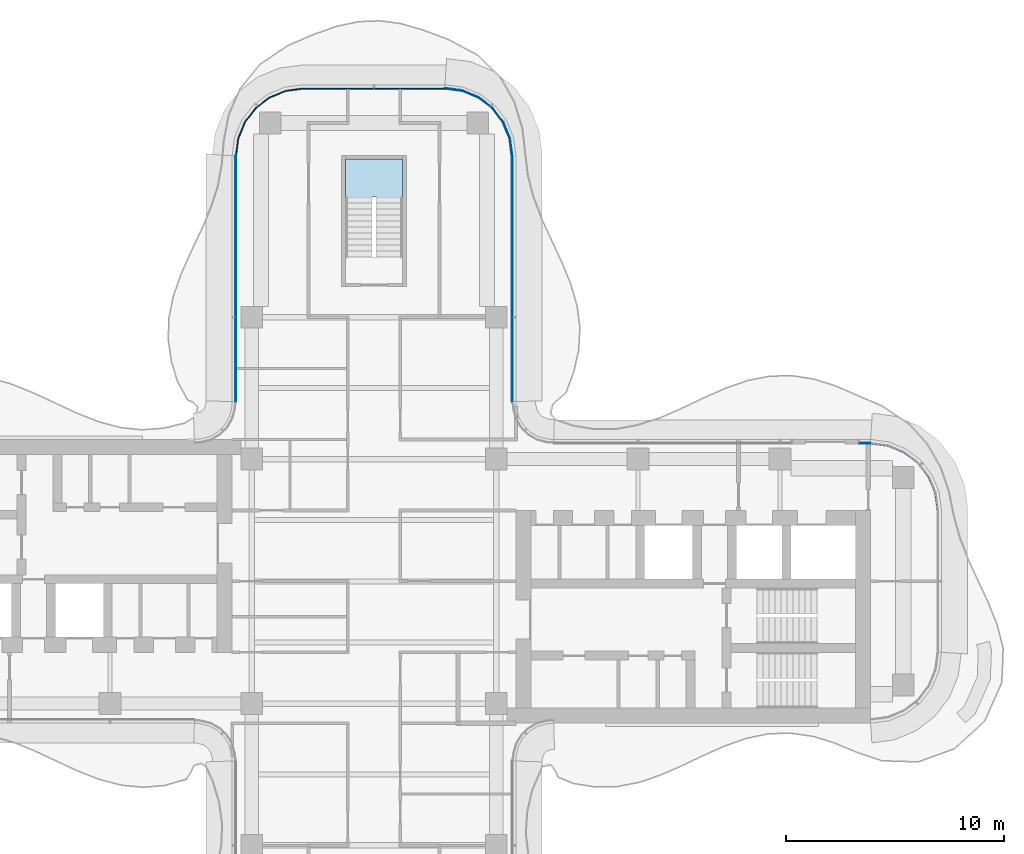
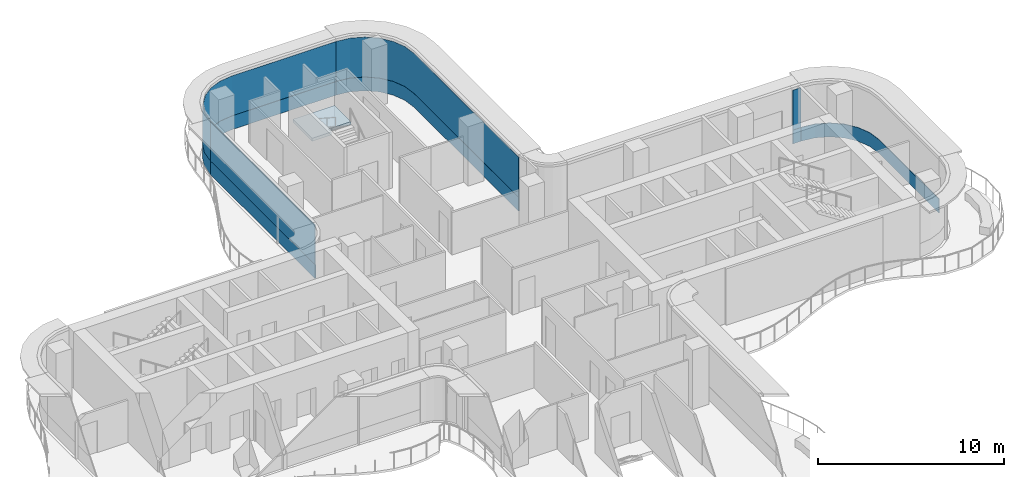
# One storey, part 10 of 17: 9 plates, 1 slab, 6 elements without a shape of their own.
"""IFC4 building model written with IfcOpenShell, lengths in metres."""

import ifcopenshell
import ifcopenshell.guid

model = None  # the IFC model being written
_history = None  # IfcOwnerHistory: only IFC2X3 demands one
_inside = {}  # id of a spatial element -> (the spatial element, [elements in it])
_under = {}  # id of a project, library or spatial element -> (it, [spatial elements below it])
_declared = {}  # id of a project -> (the project, [libraries it declares])
_typed = {}  # id of a type object -> (the type object, [elements of that type])
_made_of = {}  # id of a material, layer set ... -> (it, [elements and type objects made of it])


def new_model(schema):
    """Start an empty IFC model of exactly this schema.

    Asked for "IFC4X3", IfcOpenShell would pick the latest addendum, in which some entities
    have other attributes; the version numbers below select the first issue.
    IFC2X3 requires an IfcOwnerHistory on every rooted entity: one is made here for all.
    """
    global model, _history
    if schema == "IFC4X3":
        model = ifcopenshell.file(schema_version=(4, 3, 0, 0))
    else:
        model = ifcopenshell.file(schema=schema)
    _inside.clear()
    _under.clear()
    _declared.clear()
    _typed.clear()
    _made_of.clear()
    _history = None
    if model.schema == "IFC2X3":
        org = make("IfcOrganization", Name="unknown")
        user = make(
            "IfcPersonAndOrganization",
            ThePerson=make("IfcPerson", FamilyName="unknown"),
            TheOrganization=org,
        )
        app = make(
            "IfcApplication",
            ApplicationDeveloper=org,
            Version="unknown",
            ApplicationFullName="unknown",
            ApplicationIdentifier="unknown",
        )
        _history = make(
            "IfcOwnerHistory",
            OwningUser=user,
            OwningApplication=app,
            ChangeAction="ADDED",
            CreationDate=0,
        )
    return model


def make(cls, **values):
    """One entity of the class cls with the attributes given. An attribute that is None is left unset."""
    return model.create_entity(
        cls, **{name: value for name, value in values.items() if value is not None}
    )


def rooted(cls, **values):
    """An entity with a GlobalId (a new one), such as an element, a storey or a relation."""
    return make(cls, GlobalId=ifcopenshell.guid.new(), OwnerHistory=_history, **values)


def si_unit(unit_type, name, prefix=None):
    """IfcSIUnit, for example si_unit("LENGTHUNIT", "METRE", prefix="MILLI")."""
    return make("IfcSIUnit", UnitType=unit_type, Prefix=prefix, Name=name)


def assignment(units):
    """IfcUnitAssignment: the units of a project."""
    return None if units is None else make("IfcUnitAssignment", Units=units)


def point(xyz):
    """IfcCartesianPoint."""
    return None if xyz is None else make("IfcCartesianPoint", Coordinates=xyz)


def direction(xyz):
    """IfcDirection."""
    return None if xyz is None else make("IfcDirection", DirectionRatios=xyz)


def frame(location, z_axis=None, x_axis=None):
    """IfcAxis2Placement3D, a coordinate frame: its origin and axes. An axis left out is left unset."""
    return make(
        "IfcAxis2Placement3D",
        Location=point(location),
        Axis=direction(z_axis),
        RefDirection=direction(x_axis),
    )


def origin():
    """The frame at (0, 0, 0) with its axes left unset."""
    return frame((0.0, 0.0, 0.0))


def place(relative_to, where):
    """IfcLocalPlacement: puts the frame where relative to a parent placement (None: the world)."""
    return make(
        "IfcLocalPlacement", PlacementRelTo=relative_to, RelativePlacement=where
    )


def context(
    kind, dimensions, precision=None, world=None, true_north=None, identifier=None
):
    """IfcGeometricRepresentationContext, for example the 3D "Model" context."""
    return make(
        "IfcGeometricRepresentationContext",
        ContextIdentifier=identifier,
        ContextType=kind,
        CoordinateSpaceDimension=dimensions,
        Precision=precision,
        WorldCoordinateSystem=world,
        TrueNorth=true_north,
    )


def subcontext(parent, identifier, kind, view, scale=None):
    """IfcGeometricRepresentationSubContext, for example "Body" below "Model"."""
    return make(
        "IfcGeometricRepresentationSubContext",
        ContextIdentifier=identifier,
        ContextType=kind,
        ParentContext=parent,
        TargetScale=scale,
        TargetView=view,
    )


def project(units=None, contexts=None):
    """IfcProject with its units and contexts."""
    return rooted(
        "IfcProject",
        Name="project",
        RepresentationContexts=contexts,
        UnitsInContext=assignment(units),
    )


def spatial(cls, under=None, at=None, **own):
    """A site, building, storey or space (cls), placed at a placement, below another one or the project."""
    s = rooted(cls, ObjectPlacement=at, **own)
    if under is not None:
        _under.setdefault(under.id(), (under, []))[1].append(s)
    return s


def polyline(points):
    """IfcPolyline through the points."""
    return make("IfcPolyline", Points=[point(p) for p in points])


def outline(outer, holes=None, kind="AREA"):
    """IfcArbitraryClosedProfileDef: a profile drawn as a closed curve; with holes, ...WithVoids."""
    if holes is None:
        return make("IfcArbitraryClosedProfileDef", ProfileType=kind, OuterCurve=outer)
    return make(
        "IfcArbitraryProfileDefWithVoids",
        ProfileType=kind,
        OuterCurve=outer,
        InnerCurves=holes,
    )


def extrude(swept, where, along, depth):
    """IfcExtrudedAreaSolid: the profile swept, set in the frame where, extruded along a direction by depth."""
    return make(
        "IfcExtrudedAreaSolid",
        SweptArea=swept,
        Position=where,
        ExtrudedDirection=direction(along),
        Depth=depth,
    )


def shape(context_of_items, identifier, shape_type, items):
    """IfcShapeRepresentation: the items that make up one representation, for example the "Body"."""
    return make(
        "IfcShapeRepresentation",
        ContextOfItems=context_of_items,
        RepresentationIdentifier=identifier,
        RepresentationType=shape_type,
        Items=items,
    )


def source(mapping_origin, context_of_items, identifier, shape_type, items):
    """IfcRepresentationMap: a shape defined once, which mapped items show again and again."""
    return make(
        "IfcRepresentationMap",
        MappingOrigin=mapping_origin,
        MappedRepresentation=shape(context_of_items, identifier, shape_type, items),
    )


def transform(
    local_origin,
    x_axis=None,
    y_axis=None,
    z_axis=None,
    scale=None,
    scale2=None,
    scale3=None,
    uniform=True,
):
    """IfcCartesianTransformationOperator3D, or its non-uniform kind. x_axis, y_axis, z_axis: its Axis1, 2, 3."""
    if uniform:
        return make(
            "IfcCartesianTransformationOperator3D",
            Axis1=direction(x_axis),
            Axis2=direction(y_axis),
            LocalOrigin=point(local_origin),
            Scale=scale,
            Axis3=direction(z_axis),
        )
    return make(
        "IfcCartesianTransformationOperator3DnonUniform",
        Axis1=direction(x_axis),
        Axis2=direction(y_axis),
        LocalOrigin=point(local_origin),
        Scale=scale,
        Axis3=direction(z_axis),
        Scale2=scale2,
        Scale3=scale3,
    )


def mapped(mapping_source, mapping_target):
    """IfcMappedItem: shows the shape of a source again, moved by a transform."""
    return make(
        "IfcMappedItem", MappingSource=mapping_source, MappingTarget=mapping_target
    )


def material(Name=None, Category=None):
    """IfcMaterial."""
    return make("IfcMaterial", Name=Name, Category=Category)


def layer(
    of_material, thickness, ventilated=None, Name=None, Category=None, Priority=None
):
    """IfcMaterialLayer: one layer of a wall or slab, of a material (None: an air gap)."""
    return make(
        "IfcMaterialLayer",
        Material=of_material,
        LayerThickness=thickness,
        IsVentilated=ventilated,
        Name=Name,
        Category=Category,
        Priority=Priority,
    )


def layer_set(layers, Name=None):
    """IfcMaterialLayerSet."""
    return make("IfcMaterialLayerSet", MaterialLayers=layers, LayerSetName=Name)


def made_of(thing, what):
    """Note that an element or type object is made of a material, layer set ...; save() writes the relation."""
    if what is not None:
        _made_of.setdefault(what.id(), (what, []))[1].append(thing)
    return thing


def type_object(cls, material=None, **own):
    """A type object (cls), such as IfcWallType, which elements share."""
    return made_of(rooted(cls, **own), material)


def element(
    cls,
    number,
    at=None,
    inside=None,
    cuts=None,
    type_object=None,
    material=None,
    context=None,
    identifier="Body",
    shape_type=None,
    held_by="IfcProductDefinitionShape",
    body=None,
    shapes=None,
    **own,
):
    """One element of the class cls, such as IfcWall. Its Tag is "e" and its number.

    at: its placement. inside: the storey or other place that contains it. cuts: it is an
    opening in that element (IfcRelVoidsElement). A single representation is given by context,
    identifier, shape_type and body (its items); several are given by shapes. held_by: the class
    of the entity that holds the representations. save() writes the other relations.
    """
    e = rooted(cls, Tag="e%d" % number, ObjectPlacement=at, **own)
    if body is not None:
        shapes = [shape(context, identifier, shape_type, body)]
    if shapes is not None:
        e.Representation = make(held_by, Representations=shapes)
    if inside is not None:
        _inside.setdefault(inside.id(), (inside, []))[1].append(e)
    if cuts is not None:
        rooted(
            "IfcRelVoidsElement", RelatingBuildingElement=cuts, RelatedOpeningElement=e
        )
    if type_object is not None:
        _typed.setdefault(type_object.id(), (type_object, []))[1].append(e)
    return made_of(e, material)


def aggregate(whole, parts):
    """IfcRelAggregates: a whole, such as a stair, and the parts it consists of."""
    return rooted("IfcRelAggregates", RelatingObject=whole, RelatedObjects=parts)


def save(model, path):
    """Write the relations noted so far, then the file.

    IfcRelAggregates (storeys below a building ...), IfcRelContainedInSpatialStructure (elements
    in a storey), IfcRelDefinesByType, IfcRelAssociatesMaterial and IfcRelDeclares: one each for
    every whole, place, type object, material and project.
    """
    for whole, parts in _under.values():
        aggregate(whole, parts)
    for where, things in _inside.values():
        rooted(
            "IfcRelContainedInSpatialStructure",
            RelatedElements=things,
            RelatingStructure=where,
        )
    for kind, things in _typed.values():
        rooted("IfcRelDefinesByType", RelatedObjects=things, RelatingType=kind)
    for what, things in _made_of.values():
        rooted("IfcRelAssociatesMaterial", RelatedObjects=things, RelatingMaterial=what)
    for by, libraries in _declared.values():
        rooted("IfcRelDeclares", RelatingContext=by, RelatedDefinitions=libraries)
    model.write(path)


model = new_model("IFC4")

# Units and contexts
model_context = context("Model", 3, precision=1e-05, world=origin(), true_north=direction((0.0, 1.0)))
body_context = subcontext(model_context, "Body", "Model", "MODEL_VIEW")
ifc_project = project(units=[si_unit("LENGTHUNIT", "METRE"), si_unit("AREAUNIT", "SQUARE_METRE"), si_unit("VOLUMEUNIT", "CUBIC_METRE"), si_unit("PLANEANGLEUNIT", "RADIAN"), si_unit("MASSUNIT", "GRAM", prefix="KILO")], contexts=[model_context])

# Site, building, storey
site_placement = place(None, origin())
site = spatial("IfcSite", under=ifc_project, at=site_placement, CompositionType="ELEMENT")
building_placement = place(site_placement, origin())
building = spatial("IfcBuilding", under=site, at=building_placement, Name="Trellis Farm Tower", CompositionType="ELEMENT")
storey_placement = place(building_placement, frame((0.0, 0.0, 295.0)))
storey = spatial("IfcBuildingStorey", under=building, at=storey_placement, Name="L66", CompositionType="ELEMENT", Elevation=295.0)

# Curtain wall, plates
ifc_material_1 = material(Name="Aluminium and glass curtain wall", Category="aluminium")
ifc_layer_1 = layer(ifc_material_1, 0.18994140625)
ifc_layer_set_1 = layer_set([ifc_layer_1], Name="RIBBON CURTAIN WALL CW1")
curtain_wall_type = type_object("IfcCurtainWallType", Name="RIBBON CURTAIN WALL CW1", PredefinedType="NOTDEFINED", material=ifc_layer_set_1)
placement_1 = place(storey_placement, origin())
curtain_wall_1 = element("IfcCurtainWall", 1, at=placement_1, inside=storey, type_object=curtain_wall_type, Name="CW1 007", PredefinedType="NOTDEFINED")
ifc_material_2 = material(Name="Clear insulated glass", Category="glass")
ifc_layer_2 = layer(ifc_material_2, 0.0400390625)
ifc_layer_set_2 = layer_set([ifc_layer_2], Name="CW1 GLASS PANEL 40")
plate_type_1 = type_object("IfcPlateType", Name="CW1 GLASS PANEL 40", PredefinedType="CURTAIN_PANEL", material=ifc_layer_set_2)
placement_2 = place(storey_placement, frame((0.0, 0.0, 0.89990234375)))
plate_1 = element("IfcPlate", 2, at=placement_2, type_object=plate_type_1, Name="PL1 007", PredefinedType="CURTAIN_PANEL", context=body_context, shape_type="SweptSolid", body=[
    extrude(outline(polyline([(22.740234375, 6.35009765625), (22.235107421875, 6.35009765625), (22.235107421875, 6.31005859375), (22.737548828125, 6.31005859375), (22.740234375, 6.35009765625)])), origin(), (0.0, 0.0, 1.0), 2.6201171875),
])
ifc_material_3 = material(Name="Sandstone faced insulated panel", Category="masonry")
ifc_layer_3 = layer(ifc_material_3, 0.050048828125)
ifc_layer_set_3 = layer_set([ifc_layer_3], Name="CW1 STONE SPANDREL PANEL 50")
plate_type_2 = type_object("IfcPlateType", Name="CW1 STONE SPANDREL PANEL 50", PredefinedType="CURTAIN_PANEL", material=ifc_layer_set_3)
plate_2 = element("IfcPlate", 3, at=placement_1, type_object=plate_type_2, Name="PS1 007", PredefinedType="CURTAIN_PANEL", context=body_context, shape_type="SweptSolid", body=[
    extrude(outline(polyline([(22.740234375, 6.35009765625), (22.235107421875, 6.35009765625), (22.235107421875, 6.300048828125), (22.73681640625, 6.300048828125), (22.740234375, 6.35009765625)])), origin(), (0.0, 0.0, 1.0), 0.89990234375),
])
aggregate(curtain_wall_1, [plate_1, plate_2])

# Stair, slab
ifc_material_4 = material(Name="Concrete C50/60", Category="concrete")
stair_type = type_object("IfcStairType", Name="CORE EXIT STAIR 22 RISERS 177 MM", PredefinedType="HALF_TURN_STAIR", material=ifc_material_4)
stair = element("IfcStair", 4, at=placement_1, inside=storey, type_object=stair_type, Name="Exit stair N", PredefinedType="HALF_TURN_STAIR")
ifc_layer_4 = layer(ifc_material_4, 0.18994140625)
ifc_layer_set_4 = layer_set([ifc_layer_4], Name="CORE STAIR LANDING 190 CONCRETE C50/60")
slab_type = type_object("IfcSlabType", Name="CORE STAIR LANDING 190 CONCRETE C50/60", PredefinedType="LANDING", material=ifc_layer_set_4)
shared_shape_1 = source(origin(), body_context, "Body", "SweptSolid", [
    extrude(outline(polyline([(-0.10009765625, 17.27197265625), (-1.300048828125, 17.27197265625), (-1.300048828125, 17.60009765625), (-1.300048828125, 19.35009765625), (1.300048828125, 19.35009765625), (1.300048828125, 17.60009765625), (1.300048828125, 17.590087890625), (0.10009765625, 17.590087890625), (0.10009765625, 17.60009765625), (-0.10009765625, 17.60009765625), (-0.10009765625, 17.27197265625)])), origin(), (0.0, 0.0, 1.0), 0.18994140625),
])
slab_placement = place(storey_placement, frame((0.0, 0.0, 1.760009765625)))
slab = element("IfcSlab", 5, at=slab_placement, type_object=slab_type, Name="STN landing 1", PredefinedType="LANDING", context=body_context, shape_type="MappedRepresentation", body=[
    mapped(shared_shape_1, transform((0.0, 0.0, 0.0))),
])
aggregate(stair, [slab])

# Curtain wall, plates
curtain_wall_2 = element("IfcCurtainWall", 6, at=placement_1, inside=storey, type_object=curtain_wall_type, Name="CW1 009", PredefinedType="NOTDEFINED")
shared_shape_2 = source(origin(), body_context, "Body", "SweptSolid", [
    extrude(outline(polyline([(6.35009765625, 8.2265625), (6.35009765625, 19.490234375), (6.2431640625, 20.302001953125), (5.93359375, 21.04931640625), (5.441162109375, 21.691162109375), (4.79931640625, 22.18359375), (4.052001953125, 22.4931640625), (3.240234375, 22.60009765625), (3.237548828125, 22.56005859375), (4.04150390625, 22.4541015625), (4.779296875, 22.148681640625), (5.41259765625, 21.66259765625), (5.898681640625, 21.029296875), (6.2041015625, 20.29150390625), (6.31005859375, 19.487548828125), (6.31005859375, 8.22509765625), (6.35009765625, 8.2265625)])), origin(), (0.0, 0.0, 1.0), 2.6201171875),
])
plate_3 = element("IfcPlate", 7, at=placement_2, type_object=plate_type_1, Name="PL1 009", PredefinedType="CURTAIN_PANEL", context=body_context, shape_type="MappedRepresentation", body=[
    mapped(shared_shape_2, transform((0.0, 0.0, 0.0))),
])
shared_shape_3 = source(origin(), body_context, "Body", "SweptSolid", [
    extrude(outline(polyline([(6.35009765625, 8.2265625), (6.35009765625, 19.490234375), (6.2431640625, 20.302001953125), (5.93359375, 21.04931640625), (5.441162109375, 21.691162109375), (4.79931640625, 22.18359375), (4.052001953125, 22.4931640625), (3.240234375, 22.60009765625), (3.23681640625, 22.550048828125), (4.0390625, 22.4443359375), (4.774169921875, 22.139892578125), (5.405517578125, 21.655517578125), (5.889892578125, 21.024169921875), (6.1943359375, 20.2890625), (6.300048828125, 19.48681640625), (6.300048828125, 8.224853515625), (6.35009765625, 8.2265625)])), origin(), (0.0, 0.0, 1.0), 0.89990234375),
])
plate_4 = element("IfcPlate", 8, at=placement_1, type_object=plate_type_2, Name="PS1 009", PredefinedType="CURTAIN_PANEL", context=body_context, shape_type="MappedRepresentation", body=[
    mapped(shared_shape_3, transform((0.0, 0.0, 0.0))),
])
aggregate(curtain_wall_2, [plate_3, plate_4])

curtain_wall_3 = element("IfcCurtainWall", 9, at=placement_1, inside=storey, type_object=curtain_wall_type, Name="CW1 010", PredefinedType="NOTDEFINED")
shared_shape_4 = source(origin(), body_context, "Body", "SweptSolid", [
    extrude(outline(polyline([(3.240234375, 22.60009765625), (-3.240234375, 22.60009765625), (-4.052001953125, 22.4931640625), (-4.79931640625, 22.18359375), (-5.441162109375, 21.691162109375), (-5.93359375, 21.04931640625), (-6.2431640625, 20.302001953125), (-6.35009765625, 19.490234375), (-6.31005859375, 19.487548828125), (-6.2041015625, 20.29150390625), (-5.898681640625, 21.029296875), (-5.41259765625, 21.66259765625), (-4.779296875, 22.148681640625), (-4.04150390625, 22.4541015625), (-3.237548828125, 22.56005859375), (3.237548828125, 22.56005859375), (3.240234375, 22.60009765625)])), origin(), (0.0, 0.0, 1.0), 2.6201171875),
])
plate_5 = element("IfcPlate", 10, at=placement_2, type_object=plate_type_1, Name="PL1 010", PredefinedType="CURTAIN_PANEL", context=body_context, shape_type="MappedRepresentation", body=[
    mapped(shared_shape_4, transform((0.0, 0.0, 0.0))),
])
shared_shape_5 = source(origin(), body_context, "Body", "SweptSolid", [
    extrude(outline(polyline([(3.240234375, 22.60009765625), (-3.240234375, 22.60009765625), (-4.052001953125, 22.4931640625), (-4.79931640625, 22.18359375), (-5.441162109375, 21.691162109375), (-5.93359375, 21.04931640625), (-6.2431640625, 20.302001953125), (-6.35009765625, 19.490234375), (-6.300048828125, 19.48681640625), (-6.1943359375, 20.2890625), (-5.889892578125, 21.024169921875), (-5.405517578125, 21.655517578125), (-4.774169921875, 22.139892578125), (-4.0390625, 22.4443359375), (-3.23681640625, 22.550048828125), (3.23681640625, 22.550048828125), (3.240234375, 22.60009765625)])), origin(), (0.0, 0.0, 1.0), 0.89990234375),
])
plate_6 = element("IfcPlate", 11, at=placement_1, type_object=plate_type_2, Name="PS1 010", PredefinedType="CURTAIN_PANEL", context=body_context, shape_type="MappedRepresentation", body=[
    mapped(shared_shape_5, transform((0.0, 0.0, 0.0))),
])
aggregate(curtain_wall_3, [plate_5, plate_6])

curtain_wall_4 = element("IfcCurtainWall", 12, at=placement_1, inside=storey, type_object=curtain_wall_type, Name="CW1 011", PredefinedType="NOTDEFINED")
shared_shape_6 = source(origin(), body_context, "Body", "SweptSolid", [
    extrude(outline(polyline([(-6.35009765625, 19.490234375), (-6.35009765625, 8.2265625), (-6.31005859375, 8.22509765625), (-6.31005859375, 19.487548828125), (-6.35009765625, 19.490234375)])), origin(), (0.0, 0.0, 1.0), 2.6201171875),
])
plate_7 = element("IfcPlate", 13, at=placement_2, type_object=plate_type_1, Name="PL1 011", PredefinedType="CURTAIN_PANEL", context=body_context, shape_type="MappedRepresentation", body=[
    mapped(shared_shape_6, transform((0.0, 0.0, 0.0))),
])
shared_shape_7 = source(origin(), body_context, "Body", "SweptSolid", [
    extrude(outline(polyline([(-6.35009765625, 19.490234375), (-6.35009765625, 8.2265625), (-6.300048828125, 8.224853515625), (-6.300048828125, 19.48681640625), (-6.35009765625, 19.490234375)])), origin(), (0.0, 0.0, 1.0), 0.89990234375),
])
plate_8 = element("IfcPlate", 14, at=placement_1, type_object=plate_type_2, Name="PS1 011", PredefinedType="CURTAIN_PANEL", context=body_context, shape_type="MappedRepresentation", body=[
    mapped(shared_shape_7, transform((0.0, 0.0, 0.0))),
])
aggregate(curtain_wall_4, [plate_7, plate_8])

# Curtain wall, plate
curtain_wall_5 = element("IfcCurtainWall", 15, at=placement_1, inside=storey, type_object=curtain_wall_type, Name="CW1 006", PredefinedType="NOTDEFINED")
shared_shape_8 = source(origin(), body_context, "Body", "SweptSolid", [
    extrude(outline(polyline([(25.85009765625, -3.240234375), (25.85009765625, 3.240234375), (25.7431640625, 4.052001953125), (25.43359375, 4.79931640625), (24.941162109375, 5.441162109375), (24.29931640625, 5.93359375), (23.552001953125, 6.2431640625), (22.740234375, 6.35009765625), (22.73681640625, 6.300048828125), (23.5390625, 6.1943359375), (24.274169921875, 5.889892578125), (24.905517578125, 5.405517578125), (25.389892578125, 4.774169921875), (25.6943359375, 4.0390625), (25.800048828125, 3.23681640625), (25.800048828125, -3.23681640625), (25.85009765625, -3.240234375)])), origin(), (0.0, 0.0, 1.0), 0.89990234375),
])
plate_9 = element("IfcPlate", 16, at=placement_1, type_object=plate_type_2, Name="PS1 006", PredefinedType="CURTAIN_PANEL", context=body_context, shape_type="MappedRepresentation", body=[
    mapped(shared_shape_8, transform((0.0, 0.0, 0.0))),
])
aggregate(curtain_wall_5, [plate_9])

save(model, "model.ifc")
